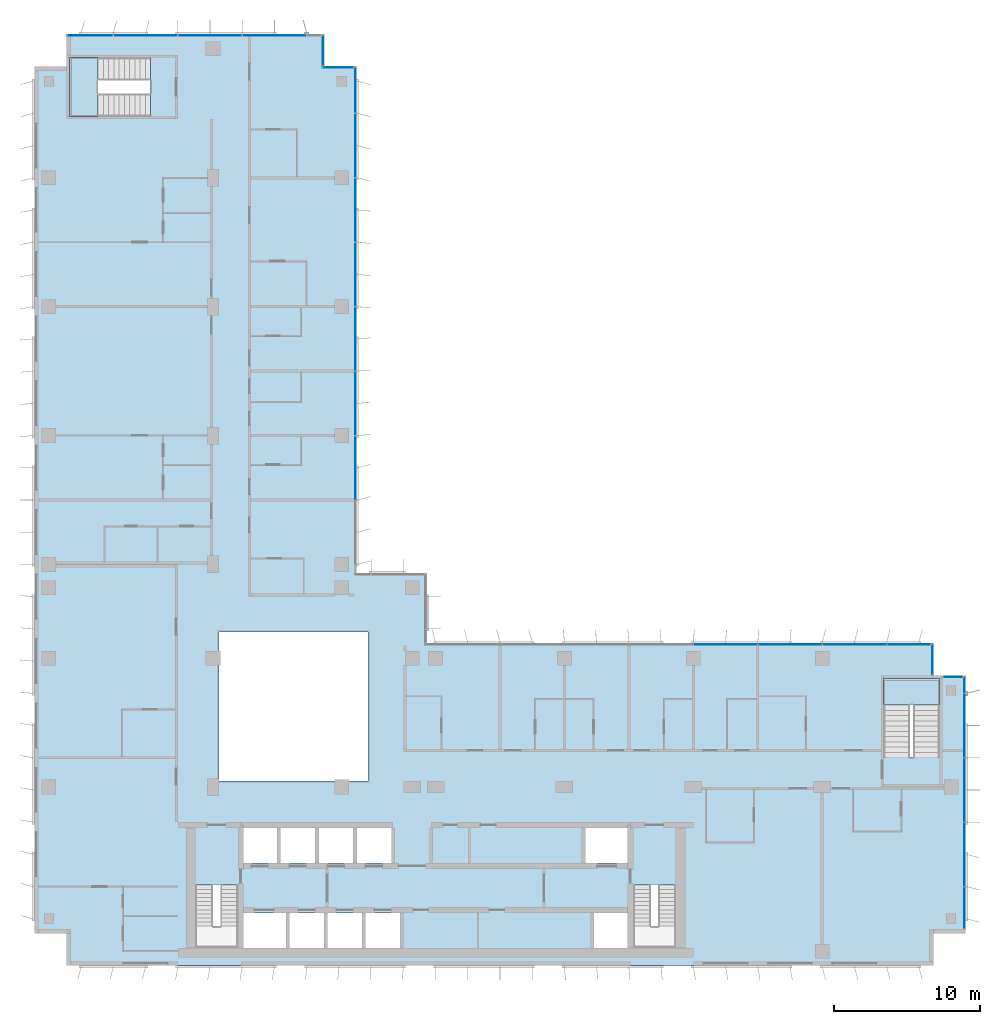
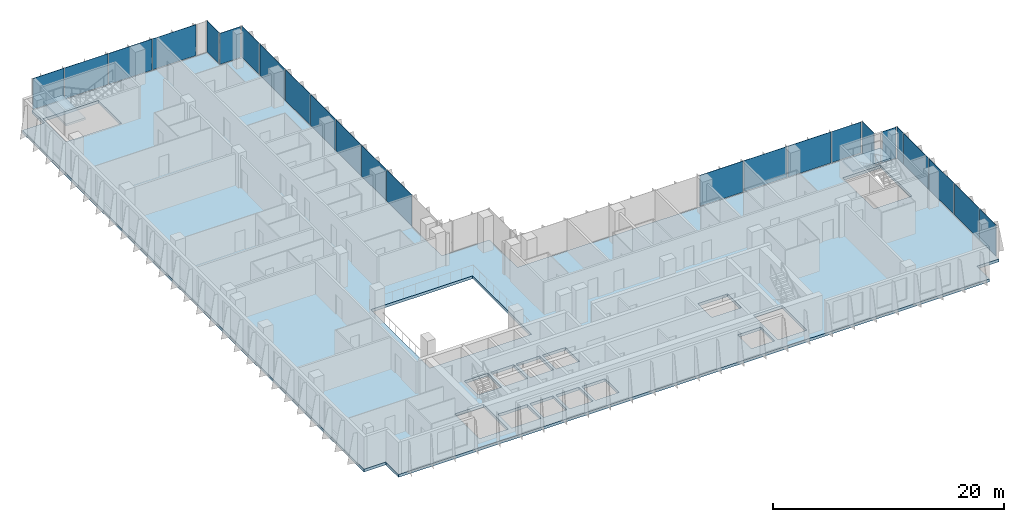
# One storey, part 11 of 21: 24 plates, 3 slabs, 10 elements without a shape of their own.
"""IFC4 building model written with IfcOpenShell, lengths in metres."""

from ifc_helpers import new_model, si_unit, direction, frame, origin, origin_2d, place, context, subcontext, project, spatial, polyline, rectangle, outline, extrude, source, transform, mapped, material, layer, layer_set, type_object, element, aggregate, save


model = new_model("IFC4")

# Units and contexts
model_context = context("Model", 3, precision=1e-05, world=origin(), true_north=direction((0.0, 1.0)))
body_context = subcontext(model_context, "Body", "Model", "MODEL_VIEW")
ifc_project = project(units=[si_unit("LENGTHUNIT", "METRE"), si_unit("AREAUNIT", "SQUARE_METRE"), si_unit("VOLUMEUNIT", "CUBIC_METRE"), si_unit("PLANEANGLEUNIT", "RADIAN"), si_unit("MASSUNIT", "GRAM", prefix="KILO")], contexts=[model_context])

# Site, building, storey
site_placement = place(None, origin())
site = spatial("IfcSite", under=ifc_project, at=site_placement, CompositionType="ELEMENT")
building_placement = place(site_placement, origin())
building = spatial("IfcBuilding", under=site, at=building_placement, Name="Kemantara Hotel Tower", CompositionType="ELEMENT")
storey_placement = place(building_placement, frame((0.0, 0.0, 171.60009765625)))
storey = spatial("IfcBuildingStorey", under=building, at=storey_placement, Name="L42", CompositionType="ELEMENT", Elevation=171.60009765625)

# Slab
ifc_material_1 = material(Name="Concrete fc 40 MPa", Category="concrete")
ifc_layer_1 = layer(ifc_material_1, 0.300048828125)
ifc_layer_set_1 = layer_set([ifc_layer_1], Name="Concrete fc 40 MPa")
slab_type_1 = type_object("IfcSlabType", Name="POST-TENSIONED FLAT PLATE 300", PredefinedType="FLOOR", material=ifc_layer_set_1)
slab_1_placement = place(storey_placement, frame((0.0, 0.0, -0.300048828125)))
element("IfcSlab", 1, at=slab_1_placement, inside=storey, type_object=slab_type_1, Name="FLOOR SLAB L42", PredefinedType="FLOOR", context=body_context, shape_type="SweptSolid", body=[
    extrude(outline(polyline([(22.0, 26.800048828125), (22.0, 61.39990234375), (19.800048828125, 61.39990234375), (19.800048828125, 63.60009765625), (2.199951171875, 63.60009765625), (2.199951171875, 61.39990234375), (0.0, 61.39990234375), (0.0, 2.199951171875), (2.199951171875, 2.199951171875), (2.199951171875, 0.0), (61.39990234375, 0.0), (61.39990234375, 2.199951171875), (63.60009765625, 2.199951171875), (63.60009765625, 19.800048828125), (61.39990234375, 19.800048828125), (61.39990234375, 22.0), (26.800048828125, 22.0), (26.800048828125, 26.800048828125), (22.0, 26.800048828125)]), holes=[polyline([(17.175048828125, 3.60009765625), (17.175048828125, 1.199951171875), (14.22509765625, 1.199951171875), (14.22509765625, 3.60009765625), (17.175048828125, 3.60009765625)]), polyline([(19.77490234375, 1.199951171875), (17.425048828125, 1.199951171875), (17.425048828125, 3.60009765625), (19.77490234375, 3.60009765625), (19.77490234375, 1.199951171875)]), polyline([(11.0, 1.199951171875), (11.0, 5.49951171875), (13.89990234375, 5.49951171875), (13.89990234375, 1.199951171875), (11.0, 1.199951171875)]), polyline([(16.574951171875, 7.0), (14.22509765625, 7.0), (14.22509765625, 9.39990234375), (16.574951171875, 9.39990234375), (16.574951171875, 7.0)]), polyline([(19.175048828125, 7.0), (16.824951171875, 7.0), (16.824951171875, 9.39990234375), (19.175048828125, 9.39990234375), (19.175048828125, 7.0)]), polyline([(21.77490234375, 7.0), (19.425048828125, 7.0), (19.425048828125, 9.39990234375), (21.77490234375, 9.39990234375), (21.77490234375, 7.0)]), polyline([(22.800048828125, 12.60009765625), (12.60009765625, 12.60009765625), (12.60009765625, 22.800048828125), (22.800048828125, 22.800048828125), (22.800048828125, 12.60009765625)]), polyline([(2.39990234375, 62.0), (7.949462890625, 62.0), (7.949462890625, 58.0), (2.39990234375, 58.0), (2.39990234375, 62.0)]), polyline([(22.375, 1.199951171875), (20.02490234375, 1.199951171875), (20.02490234375, 3.60009765625), (22.375, 3.60009765625), (22.375, 1.199951171875)]), polyline([(24.97509765625, 1.199951171875), (22.625, 1.199951171875), (22.625, 3.60009765625), (24.97509765625, 3.60009765625), (24.97509765625, 1.199951171875)]), polyline([(40.574951171875, 1.199951171875), (38.22509765625, 1.199951171875), (38.22509765625, 3.60009765625), (40.574951171875, 3.60009765625), (40.574951171875, 1.199951171875)]), polyline([(40.89990234375, 1.199951171875), (40.89990234375, 5.49951171875), (43.800048828125, 5.49951171875), (43.800048828125, 1.199951171875), (40.89990234375, 1.199951171875)]), polyline([(24.375, 7.0), (22.02490234375, 7.0), (22.02490234375, 9.39990234375), (24.375, 9.39990234375), (24.375, 7.0)]), polyline([(40.574951171875, 7.0), (37.625, 7.0), (37.625, 9.39990234375), (40.574951171875, 9.39990234375), (40.574951171875, 7.0)]), polyline([(61.800048828125, 19.60009765625), (61.800048828125, 14.20068359375), (58.0, 14.20068359375), (58.0, 19.60009765625), (61.800048828125, 19.60009765625)])]), origin(), (0.0, 0.0, 1.0), 0.300048828125),
])

# Stair, slab
stair_type_1 = type_object("IfcStairType", Name="Stair 1800 wide 22 risers of 168 x 360 mm", PredefinedType="HALF_TURN_STAIR", material=ifc_material_1)
stair_1_placement = place(storey_placement, origin())
stair_1 = element("IfcStair", 2, at=stair_1_placement, inside=storey, type_object=stair_type_1, Name="L42 Exit stair ST3", PredefinedType="HALF_TURN_STAIR")
ifc_layer_2 = layer(ifc_material_1, 0.199951171875)
ifc_layer_set_2 = layer_set([ifc_layer_2], Name="Concrete fc 40 MPa")
slab_type_2 = type_object("IfcSlabType", Name="Stair landing 200 mm", PredefinedType="LANDING", material=ifc_layer_set_2)
slab_2_placement = place(storey_placement, frame((0.0, 0.0, 1.64990234375)))
slab_2 = element("IfcSlab", 3, at=slab_2_placement, type_object=slab_type_2, Name="ST3 landing 1", PredefinedType="LANDING", context=body_context, shape_type="SweptSolid", body=[
    extrude(outline(polyline([(61.800048828125, 17.800048828125), (61.800048828125, 19.60009765625), (58.0, 19.60009765625), (58.0, 17.800048828125), (61.800048828125, 17.800048828125)])), origin(), (0.0, 0.0, 1.0), 0.199951171875),
])
aggregate(stair_1, [slab_2])

stair_type_2 = type_object("IfcStairType", Name="Stair 1550 wide 22 risers of 168 x 360 mm", PredefinedType="HALF_TURN_STAIR", material=ifc_material_1)
stair_2_placement = place(storey_placement, origin())
stair_2 = element("IfcStair", 4, at=stair_2_placement, inside=storey, type_object=stair_type_2, Name="L42 Exit stair ST4", PredefinedType="HALF_TURN_STAIR")
slab_3_placement = place(storey_placement, frame((0.0, 0.0, 1.64990234375)))
slab_3 = element("IfcSlab", 5, at=slab_3_placement, type_object=slab_type_2, Name="ST4 landing 1", PredefinedType="LANDING", context=body_context, shape_type="SweptSolid", body=[
    extrude(outline(polyline([(4.35009765625, 62.0), (2.39990234375, 62.0), (2.39990234375, 58.0), (4.35009765625, 58.0), (4.35009765625, 62.0)])), origin(), (0.0, 0.0, 1.0), 0.199951171875),
])
aggregate(stair_2, [slab_3])

# Curtain wall, plate
ifc_material_2 = material(Name="Low-E tinted double insulated glass 36 mm", Category="glass")
curtain_wall_type = type_object("IfcCurtainWallType", Name="TOWER CURTAIN WALL, FRONT FACES", PredefinedType="USERDEFINED", material=ifc_material_2)
curtain_wall_1_placement = place(storey_placement, origin())
curtain_wall_1 = element("IfcCurtainWall", 6, at=curtain_wall_1_placement, inside=storey, type_object=curtain_wall_type, Name="CW4 L42 T3-R11-1", ObjectType="TOWER CURTAIN WALL, FRONT FACES", PredefinedType="USERDEFINED")
ifc_layer_3 = layer(ifc_material_2, 0.035888671875)
ifc_layer_set_3 = layer_set([ifc_layer_3], Name="Low-E tinted double insulated glass 36 mm")
plate_type = type_object("IfcPlateType", Name="TOWER CURTAIN WALL, FRONT FACES PANEL", PredefinedType="CURTAIN_PANEL", material=ifc_layer_set_3)
shared_shape_1 = source(origin(), body_context, "Body", "SweptSolid", [
    extrude(rectangle(XDim=2.81005859375, YDim=0.035888671875, at=origin_2d()), origin(), (0.0, 0.0, 1.0), 3.280029296875),
])
plate_1_placement = place(storey_placement, frame((63.52490234375, 3.965087890625, 0.1201171875), z_axis=(0.0, 0.0, 1.0), x_axis=(0.0, 1.0, 0.0)))
plate_1 = element("IfcPlate", 7, at=plate_1_placement, type_object=plate_type, Name="CW4 glass panel T3-R11-1.1", PredefinedType="CURTAIN_PANEL", context=body_context, shape_type="MappedRepresentation", body=[
    mapped(shared_shape_1, transform((0.0, 0.0, 0.0))),
])

# Curtain wall, plates
curtain_wall_2_placement = place(storey_placement, origin())
curtain_wall_2 = element("IfcCurtainWall", 8, at=curtain_wall_2_placement, inside=storey, type_object=curtain_wall_type, Name="CW4 L42 T3-R02-1", ObjectType="TOWER CURTAIN WALL, FRONT FACES", PredefinedType="USERDEFINED")
shared_shape_2 = source(origin(), body_context, "Body", "SweptSolid", [
    extrude(rectangle(XDim=4.340087890625, YDim=0.035888671875, at=origin_2d()), origin(), (0.0, 0.0, 1.0), 3.280029296875),
])
plate_2_placement = place(storey_placement, frame((16.39990234375, 63.52490234375, 0.1201171875), z_axis=(0.0, 0.0, 1.0), x_axis=(-1.0, 0.0, 0.0)))
plate_2 = element("IfcPlate", 9, at=plate_2_placement, type_object=plate_type, Name="CW4 glass panel T3-R02-1.2", PredefinedType="CURTAIN_PANEL", context=body_context, shape_type="MappedRepresentation", body=[
    mapped(shared_shape_2, transform((0.0, 0.0, 0.0))),
])
plate_3_placement = place(storey_placement, frame((12.0, 63.52490234375, 0.1201171875), z_axis=(0.0, 0.0, 1.0), x_axis=(-1.0, 0.0, 0.0)))
plate_3 = element("IfcPlate", 10, at=plate_3_placement, type_object=plate_type, Name="CW4 glass panel T3-R02-1.3", PredefinedType="CURTAIN_PANEL", context=body_context, shape_type="MappedRepresentation", body=[
    mapped(shared_shape_2, transform((0.0, 0.0, 0.0))),
])
plate_4_placement = place(storey_placement, frame((7.60009765625, 63.52490234375, 0.1201171875), z_axis=(0.0, 0.0, 1.0), x_axis=(-1.0, 0.0, 0.0)))
plate_4 = element("IfcPlate", 11, at=plate_4_placement, type_object=plate_type, Name="CW4 glass panel T3-R02-1.4", PredefinedType="CURTAIN_PANEL", context=body_context, shape_type="MappedRepresentation", body=[
    mapped(shared_shape_2, transform((0.0, 0.0, 0.0))),
])

# Plate
plate_5_placement = place(storey_placement, frame((63.52490234375, 7.60009765625, 0.1201171875), z_axis=(0.0, 0.0, 1.0), x_axis=(0.0, 1.0, 0.0)))
plate_5 = element("IfcPlate", 12, at=plate_5_placement, type_object=plate_type, Name="CW4 glass panel T3-R11-1.2", PredefinedType="CURTAIN_PANEL", context=body_context, shape_type="MappedRepresentation", body=[
    mapped(shared_shape_2, transform((0.0, 0.0, 0.0))),
])

plate_6_placement = place(storey_placement, frame((63.52490234375, 12.0, 0.1201171875), z_axis=(0.0, 0.0, 1.0), x_axis=(0.0, 1.0, 0.0)))
plate_6 = element("IfcPlate", 13, at=plate_6_placement, type_object=plate_type, Name="CW4 glass panel T3-R11-1.3", PredefinedType="CURTAIN_PANEL", context=body_context, shape_type="MappedRepresentation", body=[
    mapped(shared_shape_2, transform((0.0, 0.0, 0.0))),
])

plate_7_placement = place(storey_placement, frame((63.52490234375, 16.39990234375, 0.1201171875), z_axis=(0.0, 0.0, 1.0), x_axis=(0.0, 1.0, 0.0)))
plate_7 = element("IfcPlate", 14, at=plate_7_placement, type_object=plate_type, Name="CW4 glass panel T3-R11-1.4", PredefinedType="CURTAIN_PANEL", context=body_context, shape_type="MappedRepresentation", body=[
    mapped(shared_shape_2, transform((0.0, 0.0, 0.0))),
])

# Curtain wall, plates
curtain_wall_3_placement = place(storey_placement, origin())
curtain_wall_3 = element("IfcCurtainWall", 15, at=curtain_wall_3_placement, inside=storey, type_object=curtain_wall_type, Name="CW4 L42 T3-R14-1", ObjectType="TOWER CURTAIN WALL, FRONT FACES", PredefinedType="USERDEFINED")
plate_8_placement = place(storey_placement, frame((56.0, 21.925048828125, 0.1201171875), z_axis=(0.0, 0.0, 1.0), x_axis=(-1.0, 0.0, 0.0)))
plate_8 = element("IfcPlate", 16, at=plate_8_placement, type_object=plate_type, Name="CW4 glass panel T3-R14-1.2", PredefinedType="CURTAIN_PANEL", context=body_context, shape_type="MappedRepresentation", body=[
    mapped(shared_shape_2, transform((0.0, 0.0, 0.0))),
])
plate_9_placement = place(storey_placement, frame((51.60009765625, 21.925048828125, 0.1201171875), z_axis=(0.0, 0.0, 1.0), x_axis=(-1.0, 0.0, 0.0)))
plate_9 = element("IfcPlate", 17, at=plate_9_placement, type_object=plate_type, Name="CW4 glass panel T3-R14-1.3", PredefinedType="CURTAIN_PANEL", context=body_context, shape_type="MappedRepresentation", body=[
    mapped(shared_shape_2, transform((0.0, 0.0, 0.0))),
])
plate_10_placement = place(storey_placement, frame((47.199951171875, 21.925048828125, 0.1201171875), z_axis=(0.0, 0.0, 1.0), x_axis=(-1.0, 0.0, 0.0)))
plate_10 = element("IfcPlate", 18, at=plate_10_placement, type_object=plate_type, Name="CW4 glass panel T3-R14-1.4", PredefinedType="CURTAIN_PANEL", context=body_context, shape_type="MappedRepresentation", body=[
    mapped(shared_shape_2, transform((0.0, 0.0, 0.0))),
])

curtain_wall_4_placement = place(storey_placement, origin())
curtain_wall_4 = element("IfcCurtainWall", 19, at=curtain_wall_4_placement, inside=storey, type_object=curtain_wall_type, Name="CW4 L42 T3-R17-1", ObjectType="TOWER CURTAIN WALL, FRONT FACES", PredefinedType="USERDEFINED")
plate_11_placement = place(storey_placement, frame((21.925048828125, 34.0, 0.1201171875), z_axis=(0.0, 0.0, 1.0), x_axis=(0.0, 1.0, 0.0)))
plate_11 = element("IfcPlate", 20, at=plate_11_placement, type_object=plate_type, Name="CW4 glass panel T3-R17-1.3", PredefinedType="CURTAIN_PANEL", context=body_context, shape_type="MappedRepresentation", body=[
    mapped(shared_shape_2, transform((0.0, 0.0, 0.0))),
])
plate_12_placement = place(storey_placement, frame((21.925048828125, 38.39990234375, 0.1201171875), z_axis=(0.0, 0.0, 1.0), x_axis=(0.0, 1.0, 0.0)))
plate_12 = element("IfcPlate", 21, at=plate_12_placement, type_object=plate_type, Name="CW4 glass panel T3-R17-1.4", PredefinedType="CURTAIN_PANEL", context=body_context, shape_type="MappedRepresentation", body=[
    mapped(shared_shape_2, transform((0.0, 0.0, 0.0))),
])
plate_13_placement = place(storey_placement, frame((21.925048828125, 42.800048828125, 0.1201171875), z_axis=(0.0, 0.0, 1.0), x_axis=(0.0, 1.0, 0.0)))
plate_13 = element("IfcPlate", 22, at=plate_13_placement, type_object=plate_type, Name="CW4 glass panel T3-R17-1.5", PredefinedType="CURTAIN_PANEL", context=body_context, shape_type="MappedRepresentation", body=[
    mapped(shared_shape_2, transform((0.0, 0.0, 0.0))),
])
plate_14_placement = place(storey_placement, frame((21.925048828125, 47.199951171875, 0.1201171875), z_axis=(0.0, 0.0, 1.0), x_axis=(0.0, 1.0, 0.0)))
plate_14 = element("IfcPlate", 23, at=plate_14_placement, type_object=plate_type, Name="CW4 glass panel T3-R17-1.6", PredefinedType="CURTAIN_PANEL", context=body_context, shape_type="MappedRepresentation", body=[
    mapped(shared_shape_2, transform((0.0, 0.0, 0.0))),
])
plate_15_placement = place(storey_placement, frame((21.925048828125, 51.60009765625, 0.1201171875), z_axis=(0.0, 0.0, 1.0), x_axis=(0.0, 1.0, 0.0)))
plate_15 = element("IfcPlate", 24, at=plate_15_placement, type_object=plate_type, Name="CW4 glass panel T3-R17-1.7", PredefinedType="CURTAIN_PANEL", context=body_context, shape_type="MappedRepresentation", body=[
    mapped(shared_shape_2, transform((0.0, 0.0, 0.0))),
])
plate_16_placement = place(storey_placement, frame((21.925048828125, 56.0, 0.1201171875), z_axis=(0.0, 0.0, 1.0), x_axis=(0.0, 1.0, 0.0)))
plate_16 = element("IfcPlate", 25, at=plate_16_placement, type_object=plate_type, Name="CW4 glass panel T3-R17-1.8", PredefinedType="CURTAIN_PANEL", context=body_context, shape_type="MappedRepresentation", body=[
    mapped(shared_shape_2, transform((0.0, 0.0, 0.0))),
])

# Plate
shared_shape_3 = source(origin(), body_context, "Body", "SweptSolid", [
    extrude(rectangle(XDim=3.110107421875, YDim=0.035888671875, at=origin_2d()), origin(), (0.0, 0.0, 1.0), 3.280029296875),
])
plate_17_placement = place(storey_placement, frame((3.81494140625, 63.52490234375, 0.1201171875), z_axis=(0.0, 0.0, 1.0), x_axis=(-1.0, 0.0, 0.0)))
plate_17 = element("IfcPlate", 26, at=plate_17_placement, type_object=plate_type, Name="CW4 glass panel T3-R02-1.5", PredefinedType="CURTAIN_PANEL", context=body_context, shape_type="MappedRepresentation", body=[
    mapped(shared_shape_3, transform((0.0, 0.0, 0.0))),
])

aggregate(curtain_wall_2, [plate_2, plate_3, plate_4, plate_17])

plate_18_placement = place(storey_placement, frame((21.925048828125, 59.784912109375, 0.1201171875), z_axis=(0.0, 0.0, 1.0), x_axis=(0.0, 1.0, 0.0)))
plate_18 = element("IfcPlate", 27, at=plate_18_placement, type_object=plate_type, Name="CW4 glass panel T3-R17-1.9", PredefinedType="CURTAIN_PANEL", context=body_context, shape_type="MappedRepresentation", body=[
    mapped(shared_shape_3, transform((0.0, 0.0, 0.0))),
])

aggregate(curtain_wall_4, [plate_11, plate_12, plate_13, plate_14, plate_15, plate_16, plate_18])

# Curtain wall, plate
curtain_wall_5_placement = place(storey_placement, origin())
curtain_wall_5 = element("IfcCurtainWall", 28, at=curtain_wall_5_placement, inside=storey, type_object=curtain_wall_type, Name="CW4 L42 T3-R00-1", ObjectType="TOWER CURTAIN WALL, FRONT FACES", PredefinedType="USERDEFINED")
shared_shape_4 = source(origin(), body_context, "Body", "SweptSolid", [
    extrude(rectangle(XDim=2.080078125, YDim=0.035888671875, at=origin_2d()), origin(), (0.0, 0.0, 1.0), 3.280029296875),
])
plate_19_placement = place(storey_placement, frame((20.75, 61.324951171875, 0.1201171875), z_axis=(0.0, 0.0, 1.0), x_axis=(-1.0, 0.0, 0.0)))
plate_19 = element("IfcPlate", 29, at=plate_19_placement, type_object=plate_type, Name="CW4 glass panel T3-R00-1.1", PredefinedType="CURTAIN_PANEL", context=body_context, shape_type="MappedRepresentation", body=[
    mapped(shared_shape_4, transform((0.0, 0.0, 0.0))),
])
aggregate(curtain_wall_5, [plate_19])

curtain_wall_6_placement = place(storey_placement, origin())
curtain_wall_6 = element("IfcCurtainWall", 30, at=curtain_wall_6_placement, inside=storey, type_object=curtain_wall_type, Name="CW4 L42 T3-R01-1", ObjectType="TOWER CURTAIN WALL, FRONT FACES", PredefinedType="USERDEFINED")
plate_20_placement = place(storey_placement, frame((19.72509765625, 62.5, 0.1201171875), z_axis=(0.0, 0.0, 1.0), x_axis=(0.0, 1.0, 0.0)))
plate_20 = element("IfcPlate", 31, at=plate_20_placement, type_object=plate_type, Name="CW4 glass panel T3-R01-1.1", PredefinedType="CURTAIN_PANEL", context=body_context, shape_type="MappedRepresentation", body=[
    mapped(shared_shape_4, transform((0.0, 0.0, 0.0))),
])
aggregate(curtain_wall_6, [plate_20])

curtain_wall_7_placement = place(storey_placement, origin())
curtain_wall_7 = element("IfcCurtainWall", 32, at=curtain_wall_7_placement, inside=storey, type_object=curtain_wall_type, Name="CW4 L42 T3-R13-1", ObjectType="TOWER CURTAIN WALL, FRONT FACES", PredefinedType="USERDEFINED")
plate_21_placement = place(storey_placement, frame((61.324951171875, 20.89990234375, 0.1201171875), z_axis=(0.0, 0.0, 1.0), x_axis=(0.0, 1.0, 0.0)))
plate_21 = element("IfcPlate", 33, at=plate_21_placement, type_object=plate_type, Name="CW4 glass panel T3-R13-1.1", PredefinedType="CURTAIN_PANEL", context=body_context, shape_type="MappedRepresentation", body=[
    mapped(shared_shape_4, transform((0.0, 0.0, 0.0))),
])
aggregate(curtain_wall_7, [plate_21])

# Plate
shared_shape_5 = source(origin(), body_context, "Body", "SweptSolid", [
    extrude(rectangle(XDim=2.9599609375, YDim=0.035888671875, at=origin_2d()), origin(), (0.0, 0.0, 1.0), 3.280029296875),
])
plate_22_placement = place(storey_placement, frame((59.7099609375, 21.925048828125, 0.1201171875), z_axis=(0.0, 0.0, 1.0), x_axis=(-1.0, 0.0, 0.0)))
plate_22 = element("IfcPlate", 34, at=plate_22_placement, type_object=plate_type, Name="CW4 glass panel T3-R14-1.1", PredefinedType="CURTAIN_PANEL", context=body_context, shape_type="MappedRepresentation", body=[
    mapped(shared_shape_5, transform((0.0, 0.0, 0.0))),
])

aggregate(curtain_wall_3, [plate_22, plate_8, plate_9, plate_10])

shared_shape_6 = source(origin(), body_context, "Body", "SweptSolid", [
    extrude(rectangle(XDim=1.110107421875, YDim=0.035888671875, at=origin_2d()), origin(), (0.0, 0.0, 1.0), 3.280029296875),
])
plate_23_placement = place(storey_placement, frame((63.52490234375, 19.18505859375, 0.1201171875), z_axis=(0.0, 0.0, 1.0), x_axis=(0.0, 1.0, 0.0)))
plate_23 = element("IfcPlate", 35, at=plate_23_placement, type_object=plate_type, Name="CW4 glass panel T3-R11-1.5", PredefinedType="CURTAIN_PANEL", context=body_context, shape_type="MappedRepresentation", body=[
    mapped(shared_shape_6, transform((0.0, 0.0, 0.0))),
])

aggregate(curtain_wall_1, [plate_1, plate_5, plate_6, plate_7, plate_23])

# Curtain wall, plate
curtain_wall_8_placement = place(storey_placement, origin())
curtain_wall_8 = element("IfcCurtainWall", 36, at=curtain_wall_8_placement, inside=storey, type_object=curtain_wall_type, Name="CW4 L42 T3-R12-1", ObjectType="TOWER CURTAIN WALL, FRONT FACES", PredefinedType="USERDEFINED")
shared_shape_7 = source(origin(), body_context, "Body", "SweptSolid", [
    extrude(rectangle(XDim=1.330078125, YDim=0.035888671875, at=origin_2d()), origin(), (0.0, 0.0, 1.0), 3.280029296875),
])
plate_24_placement = place(storey_placement, frame((62.72509765625, 19.72509765625, 0.1201171875), z_axis=(0.0, 0.0, 1.0), x_axis=(-1.0, 0.0, 0.0)))
plate_24 = element("IfcPlate", 37, at=plate_24_placement, type_object=plate_type, Name="CW4 glass panel T3-R12-1.1", PredefinedType="CURTAIN_PANEL", context=body_context, shape_type="MappedRepresentation", body=[
    mapped(shared_shape_7, transform((0.0, 0.0, 0.0))),
])
aggregate(curtain_wall_8, [plate_24])

save(model, "model.ifc")
